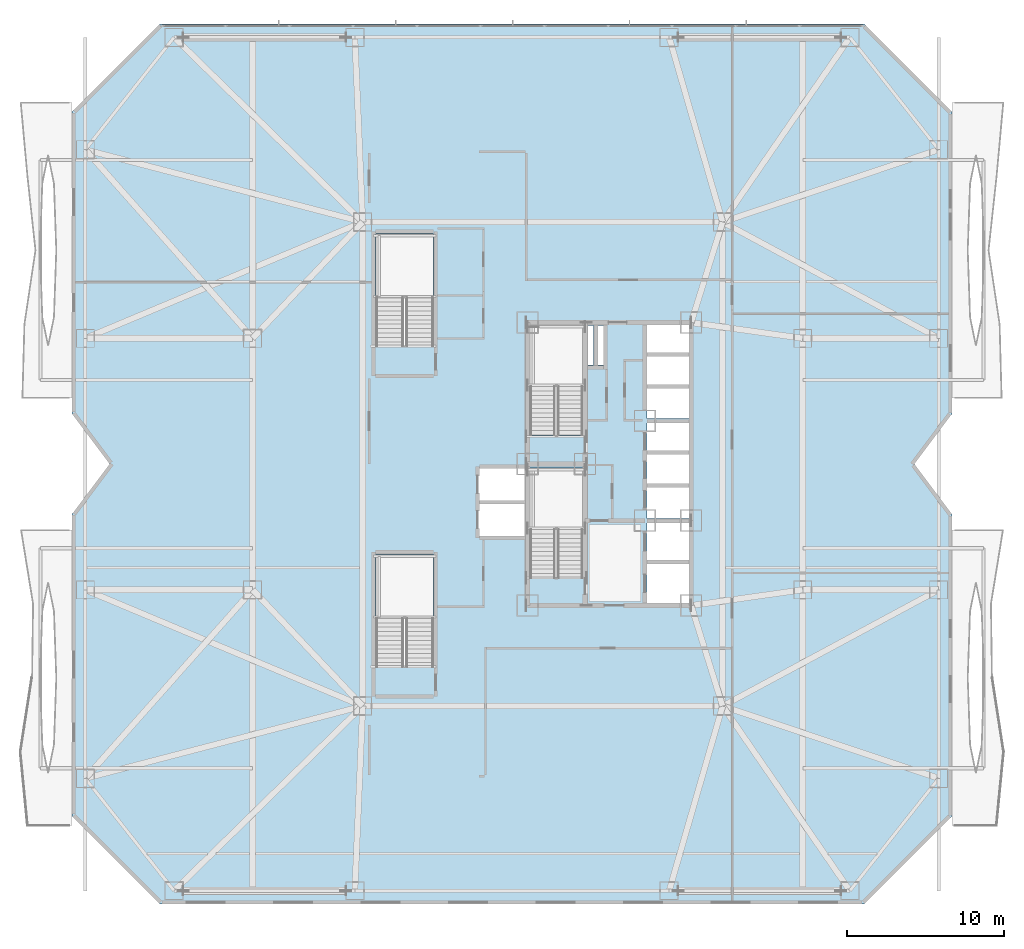
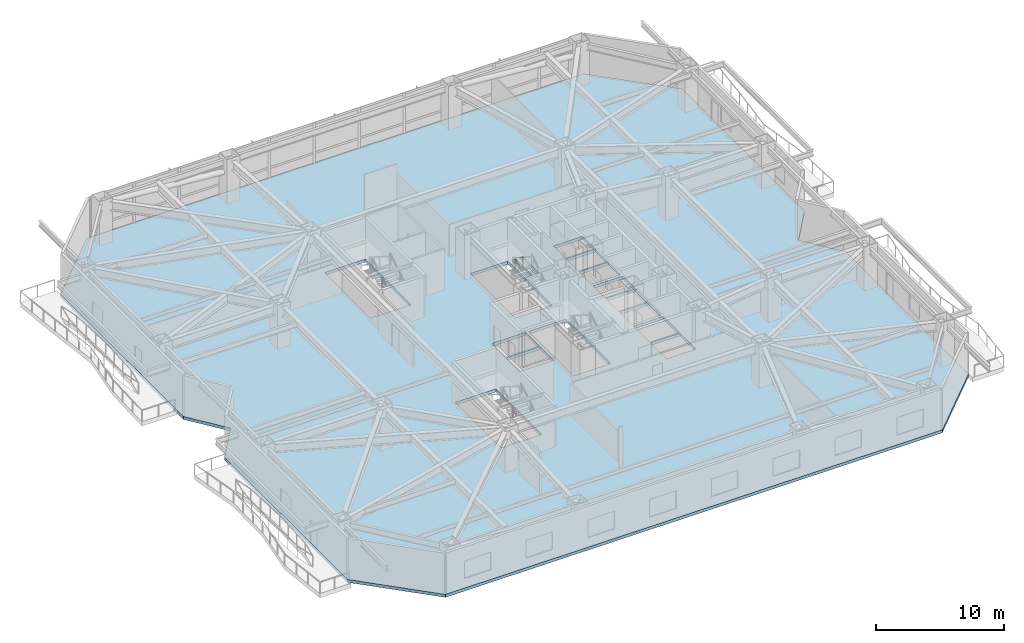
# One storey, part 10 of 25: 1 slab.
"""IFC4 building model written with IfcOpenShell, lengths in metres."""

from ifc_helpers import new_model, si_unit, direction, frame, origin, place, context, subcontext, project, spatial, polyline, outline, extrude, material, layer, layer_set, type_object, element, save


model = new_model("IFC4")

# Units and contexts
model_context = context("Model", 3, precision=1e-05, world=origin(), true_north=direction((0.0, 1.0)))
body_context = subcontext(model_context, "Body", "Model", "MODEL_VIEW")
ifc_project = project(units=[si_unit("LENGTHUNIT", "METRE"), si_unit("AREAUNIT", "SQUARE_METRE"), si_unit("VOLUMEUNIT", "CUBIC_METRE"), si_unit("PLANEANGLEUNIT", "RADIAN"), si_unit("MASSUNIT", "GRAM", prefix="KILO")], contexts=[model_context])

# Site, building, storey
site_placement = place(None, origin())
site = spatial("IfcSite", under=ifc_project, at=site_placement, CompositionType="ELEMENT")
building_placement = place(site_placement, origin())
building = spatial("IfcBuilding", under=site, at=building_placement, Name="Khamvora Tower", CompositionType="ELEMENT")
storey_placement = place(building_placement, frame((0.0, 0.0, 24.60009765625)))
storey = spatial("IfcBuildingStorey", under=building, at=storey_placement, Name="L05", CompositionType="ELEMENT", Elevation=24.60009765625)

# Slab
ifc_material = material(Name="Concrete C35/45", Category="concrete")
ifc_layer = layer(ifc_material, 0.280029296875)
ifc_layer_set = layer_set([ifc_layer], Name="Concrete C35/45")
slab_type = type_object("IfcSlabType", Name="SLB-SCH-280", PredefinedType="FLOOR", material=ifc_layer_set)
slab_placement = place(storey_placement, frame((0.0, 0.0, -0.280029296875)))
element("IfcSlab", 1, at=slab_placement, inside=storey, type_object=slab_type, Name="L05 structural floor slab", PredefinedType="FLOOR", context=body_context, shape_type="SweptSolid", body=[
    extrude(outline(polyline([(5.60009765625, 0.0), (50.39990234375, 0.0), (56.0, 5.60009765625), (56.0, 24.800048828125), (53.60009765625, 28.0), (56.0, 31.199951171875), (56.0, 50.39990234375), (50.39990234375, 56.0), (5.60009765625, 56.0), (0.0, 50.39990234375), (0.0, 31.199951171875), (2.39990234375, 28.0), (0.0, 24.800048828125), (0.0, 5.60009765625), (5.60009765625, 0.0)]), holes=[polyline([(32.5, 20.760009765625), (32.5, 27.75), (29.14990234375, 27.75), (29.14990234375, 20.760009765625), (32.5, 20.760009765625)]), polyline([(32.5, 29.860107421875), (32.5, 36.85009765625), (29.14990234375, 36.85009765625), (29.14990234375, 29.860107421875), (32.5, 29.860107421875)]), polyline([(23.0, 15.110107421875), (23.0, 22.25), (19.35009765625, 22.25), (19.35009765625, 15.110107421875), (23.0, 15.110107421875)]), polyline([(23.0, 35.510009765625), (23.0, 42.64990234375), (19.35009765625, 42.64990234375), (19.35009765625, 35.510009765625), (23.0, 35.510009765625)]), polyline([(36.60009765625, 19.14990234375), (39.25, 19.14990234375), (39.25, 21.64990234375), (36.60009765625, 21.64990234375), (36.60009765625, 19.14990234375)]), polyline([(36.60009765625, 21.800048828125), (39.25, 21.800048828125), (39.25, 24.25), (36.60009765625, 24.25), (36.60009765625, 21.800048828125)]), polyline([(36.60009765625, 24.550048828125), (39.25, 24.550048828125), (39.25, 26.5), (36.60009765625, 26.5), (36.60009765625, 24.550048828125)]), polyline([(36.60009765625, 26.64990234375), (39.25, 26.64990234375), (39.25, 28.60009765625), (36.60009765625, 28.60009765625), (36.60009765625, 26.64990234375)]), polyline([(36.60009765625, 28.75), (39.25, 28.75), (39.25, 30.60009765625), (36.60009765625, 30.60009765625), (36.60009765625, 28.75)]), polyline([(36.60009765625, 30.89990234375), (39.25, 30.89990234375), (39.25, 32.800048828125), (36.60009765625, 32.800048828125), (36.60009765625, 30.89990234375)]), polyline([(36.60009765625, 32.949951171875), (39.25, 32.949951171875), (39.25, 34.85009765625), (36.60009765625, 34.85009765625), (36.60009765625, 32.949951171875)]), polyline([(36.60009765625, 35.0), (39.25, 35.0), (39.25, 36.85009765625), (36.60009765625, 36.85009765625), (36.60009765625, 35.0)]), polyline([(25.800048828125, 23.39990234375), (28.85009765625, 23.39990234375), (28.85009765625, 25.5), (25.800048828125, 25.5), (25.800048828125, 23.39990234375)]), polyline([(25.800048828125, 25.64990234375), (28.85009765625, 25.64990234375), (28.85009765625, 27.75), (25.800048828125, 27.75), (25.800048828125, 25.64990234375)]), polyline([(32.800048828125, 34.300048828125), (33.199951171875, 34.300048828125), (33.199951171875, 36.800048828125), (32.800048828125, 36.800048828125), (32.800048828125, 34.300048828125)]), polyline([(33.47998046875, 34.300048828125), (33.820068359375, 34.300048828125), (33.820068359375, 36.800048828125), (33.47998046875, 36.800048828125), (33.47998046875, 34.300048828125)])]), origin(), (0.0, 0.0, 1.0), 0.280029296875),
])

save(model, "model.ifc")
